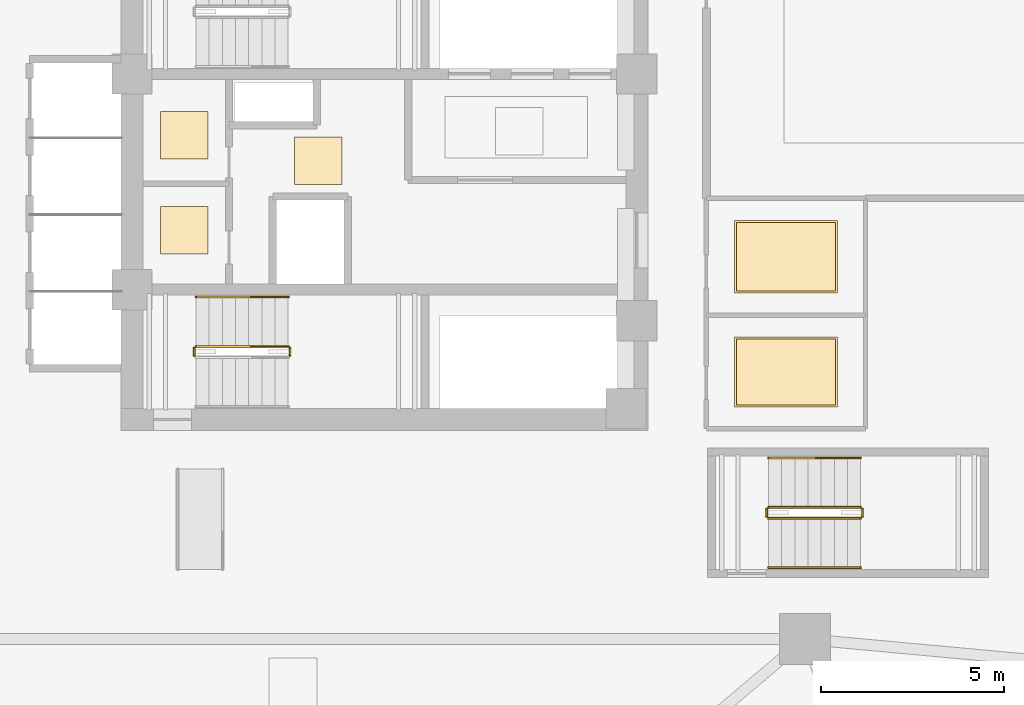
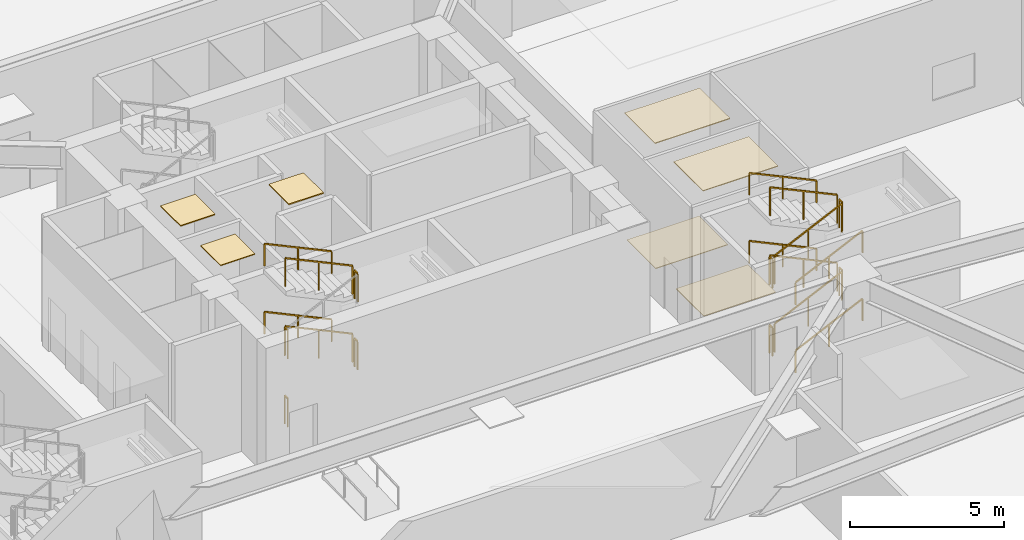
# One storey, part 20 of 25: 20 railings, 7 coverings.
"""IFC4 building model written with IfcOpenShell, lengths in metres."""

from ifc_helpers import new_model, si_unit, direction, frame, origin, origin_2d, place, context, subcontext, project, spatial, polyline, rectangle, outline, extrude, material, layer, layer_set, type_object, element, save


model = new_model("IFC4")

# Units and contexts
model_context = context("Model", 3, precision=1e-05, world=origin(), true_north=direction((0.0, 1.0)))
body_context = subcontext(model_context, "Body", "Model", "MODEL_VIEW")
ifc_project = project(units=[si_unit("LENGTHUNIT", "METRE"), si_unit("AREAUNIT", "SQUARE_METRE"), si_unit("VOLUMEUNIT", "CUBIC_METRE"), si_unit("PLANEANGLEUNIT", "RADIAN"), si_unit("MASSUNIT", "GRAM", prefix="KILO")], contexts=[model_context])

# Site, building, storey
site_placement = place(None, origin())
site = spatial("IfcSite", under=ifc_project, at=site_placement, CompositionType="ELEMENT")
building_placement = place(site_placement, origin())
building = spatial("IfcBuilding", under=site, at=building_placement, Name="Tavelor Broadcast Tower", CompositionType="ELEMENT")
storey_placement = place(building_placement, frame((0.0, 0.0, 11.39990234375)))
storey = spatial("IfcBuildingStorey", under=building, at=storey_placement, Name="L02", CompositionType="ELEMENT", Elevation=11.39990234375)

# Covering
ifc_material_1 = material(Name="Copper-Bronze Anodized Aluminium", Category="aluminium")
ifc_layer_1 = layer(ifc_material_1, 0.044921875)
ifc_layer_set_1 = layer_set([ifc_layer_1], Name="Copper-Bronze Anodized Aluminium")
covering_type_1 = type_object("IfcCoveringType", Name="Anodised Bronze Linear Slatted Concourse Ceiling 45 mm", PredefinedType="CEILING", material=ifc_layer_set_1)
covering_1_placement = place(storey_placement, frame((0.0, 0.0, 5.005126953125)))
element("IfcCovering", 1, at=covering_1_placement, inside=storey, type_object=covering_type_1, Name="L02 Suspended Acoustic Ceiling 0055", PredefinedType="CEILING", context=body_context, shape_type="SweptSolid", body=[
    extrude(outline(polyline([(47.5400390625, 44.919921875), (48.840087890625, 44.919921875), (48.840087890625, 46.219970703125), (47.5400390625, 46.219970703125), (47.5400390625, 44.919921875)])), origin(), (0.0, 0.0, 1.0), 0.044921875),
])

# Railings
ifc_material_2 = material(Name="Steel S355", Category="steel")
railing_type_1 = type_object("IfcRailingType", Name="Continuous Brushed Stainless Handrail 900 mm", PredefinedType="HANDRAIL", material=ifc_material_2)
for number, where, name in (
    (2, (47.3701171875, 41.85009765625, 1.518798828125), "L02 ST2 stair handrail 2"),
    (3, (47.3701171875, 41.85009765625, 4.21875), "L02 ST2 stair handrail 4"),
):
    element("IfcRailing", number, at=place(storey_placement, frame(where)), inside=storey, type_object=railing_type_1, Name=name, PredefinedType="HANDRAIL", context=body_context, shape_type="SweptSolid", body=[
        extrude(rectangle(XDim=0.048095703125, YDim=0.048095703125, at=origin_2d()), frame((0.0, 0.0, 0.8759765625), z_axis=(-0.905439972488, 0.0, 0.424474329284), x_axis=(0.0, -1.0, 0.0)), (0.0, 0.0, 1.0), 2.783203125),
        extrude(rectangle(XDim=0.0419921875, YDim=0.0419921875, at=origin_2d()), origin(), (0.0, 0.0, 1.0), 0.851806640625),
        extrude(rectangle(XDim=0.0419921875, YDim=0.0419921875, at=origin_2d()), frame((-1.260009765625, 0.0, 0.5908203125)), (0.0, 0.0, 1.0), 0.851806640625),
        extrude(rectangle(XDim=0.0419921875, YDim=0.0419921875, at=origin_2d()), frame((-2.52001953125, 0.0, 1.181396484375)), (0.0, 0.0, 1.0), 0.851806640625),
    ])
railing_1_placement = place(storey_placement, frame((60.5, 34.449951171875, 0.1689453125)))
element("IfcRailing", 4, at=railing_1_placement, inside=storey, type_object=railing_type_1, Name="L02 ST4 stair handrail 1", PredefinedType="HANDRAIL", context=body_context, shape_type="SweptSolid", body=[
    extrude(rectangle(XDim=0.048095703125, YDim=0.048095703125, at=origin_2d()), frame((0.0, 0.0, 0.8759765625), z_axis=(0.905473684625, 0.0, 0.424402410988), x_axis=(0.0, 1.0, 0.0)), (0.0, 0.0, 1.0), 2.783203125),
    extrude(rectangle(XDim=0.0419921875, YDim=0.0419921875, at=origin_2d()), origin(), (0.0, 0.0, 1.0), 0.851806640625),
    extrude(rectangle(XDim=0.0419921875, YDim=0.0419921875, at=origin_2d()), frame((1.260009765625, 0.0, 0.590576171875)), (0.0, 0.0, 1.0), 0.851806640625),
    extrude(rectangle(XDim=0.0419921875, YDim=0.0419921875, at=origin_2d()), frame((2.52001953125, 0.0, 1.18115234375)), (0.0, 0.0, 1.0), 0.851806640625),
])
railing_2_placement = place(storey_placement, frame((63.02001953125, 37.449951171875, 1.518798828125)))
element("IfcRailing", 5, at=railing_2_placement, inside=storey, type_object=railing_type_1, Name="L02 ST4 stair handrail 2", PredefinedType="HANDRAIL", context=body_context, shape_type="SweptSolid", body=[
    extrude(rectangle(XDim=0.048095703125, YDim=0.048095703125, at=origin_2d()), frame((0.0, 0.0, 0.8759765625), z_axis=(-0.905439972488, 0.0, 0.424474329284), x_axis=(0.0, -1.0, 0.0)), (0.0, 0.0, 1.0), 2.783203125),
    extrude(rectangle(XDim=0.0419921875, YDim=0.0419921875, at=origin_2d()), origin(), (0.0, 0.0, 1.0), 0.851806640625),
    extrude(rectangle(XDim=0.0419921875, YDim=0.0419921875, at=origin_2d()), frame((-1.260009765625, 0.0, 0.5908203125)), (0.0, 0.0, 1.0), 0.851806640625),
    extrude(rectangle(XDim=0.0419921875, YDim=0.0419921875, at=origin_2d()), frame((-2.52001953125, 0.0, 1.181396484375)), (0.0, 0.0, 1.0), 0.851806640625),
])
railing_3_placement = place(storey_placement, frame((60.5, 34.449951171875, 2.868896484375)))
element("IfcRailing", 6, at=railing_3_placement, inside=storey, type_object=railing_type_1, Name="L02 ST4 stair handrail 3", PredefinedType="HANDRAIL", context=body_context, shape_type="SweptSolid", body=[
    extrude(rectangle(XDim=0.048095703125, YDim=0.048095703125, at=origin_2d()), frame((0.0, 0.0, 0.8759765625), z_axis=(0.905473684625, 0.0, 0.424402410988), x_axis=(0.0, 1.0, 0.0)), (0.0, 0.0, 1.0), 2.783203125),
    extrude(rectangle(XDim=0.0419921875, YDim=0.0419921875, at=origin_2d()), origin(), (0.0, 0.0, 1.0), 0.851806640625),
    extrude(rectangle(XDim=0.0419921875, YDim=0.0419921875, at=origin_2d()), frame((1.260009765625, 0.0, 0.590576171875)), (0.0, 0.0, 1.0), 0.851806640625),
    extrude(rectangle(XDim=0.0419921875, YDim=0.0419921875, at=origin_2d()), frame((2.52001953125, 0.0, 1.18115234375)), (0.0, 0.0, 1.0), 0.851806640625),
])
railing_4_placement = place(storey_placement, frame((63.02001953125, 37.449951171875, 4.21875)))
element("IfcRailing", 7, at=railing_4_placement, inside=storey, type_object=railing_type_1, Name="L02 ST4 stair handrail 4", PredefinedType="HANDRAIL", context=body_context, shape_type="SweptSolid", body=[
    extrude(rectangle(XDim=0.048095703125, YDim=0.048095703125, at=origin_2d()), frame((0.0, 0.0, 0.8759765625), z_axis=(-0.905439972488, 0.0, 0.424474329284), x_axis=(0.0, -1.0, 0.0)), (0.0, 0.0, 1.0), 2.783203125),
    extrude(rectangle(XDim=0.0419921875, YDim=0.0419921875, at=origin_2d()), origin(), (0.0, 0.0, 1.0), 0.851806640625),
    extrude(rectangle(XDim=0.0419921875, YDim=0.0419921875, at=origin_2d()), frame((-1.260009765625, 0.0, 0.5908203125)), (0.0, 0.0, 1.0), 0.851806640625),
    extrude(rectangle(XDim=0.0419921875, YDim=0.0419921875, at=origin_2d()), frame((-2.52001953125, 0.0, 1.181396484375)), (0.0, 0.0, 1.0), 0.851806640625),
])

# Coverings
ifc_material_3 = material(Name="Architectural Anodized Aluminium", Category="aluminium")
ifc_layer_2 = layer(ifc_material_3, 0.030029296875)
ifc_layer_set_2 = layer_set([ifc_layer_2], Name="Architectural Anodized Aluminium")
covering_type_2 = type_object("IfcCoveringType", Name="Moisture-Resistant Washroom Ceiling 30 mm", PredefinedType="CEILING", material=ifc_layer_set_2)
covering_2_placement = place(storey_placement, frame((0.0, 0.0, 5.02001953125)))
element("IfcCovering", 8, at=covering_2_placement, inside=storey, type_object=covering_type_2, Name="L02 Suspended Acoustic Ceiling 0056", PredefinedType="CEILING", context=body_context, shape_type="SweptSolid", body=[
    extrude(outline(polyline([(43.8798828125, 43.026611328125), (45.179931640625, 43.026611328125), (45.179931640625, 44.326416015625), (43.8798828125, 44.326416015625), (43.8798828125, 43.026611328125)])), origin(), (0.0, 0.0, 1.0), 0.030029296875),
])
covering_3_placement = place(storey_placement, frame((0.0, 0.0, 5.02001953125)))
element("IfcCovering", 9, at=covering_3_placement, inside=storey, type_object=covering_type_2, Name="L02 Suspended Acoustic Ceiling 0074", PredefinedType="CEILING", context=body_context, shape_type="SweptSolid", body=[
    extrude(outline(polyline([(59.5703125, 38.84375), (62.389892578125, 38.84375), (62.389892578125, 40.756103515625), (59.5703125, 40.756103515625), (59.5703125, 38.84375)])), origin(), (0.0, 0.0, 1.0), 0.030029296875),
])
covering_4_placement = place(storey_placement, frame((0.0, 0.0, 5.02001953125)))
element("IfcCovering", 10, at=covering_4_placement, inside=storey, type_object=covering_type_2, Name="L02 Suspended Acoustic Ceiling 0075", PredefinedType="CEILING", context=body_context, shape_type="SweptSolid", body=[
    extrude(outline(polyline([(59.5703125, 41.957763671875), (62.389892578125, 41.957763671875), (62.389892578125, 43.942138671875), (59.5703125, 43.942138671875), (59.5703125, 41.957763671875)])), origin(), (0.0, 0.0, 1.0), 0.030029296875),
])
ifc_material_4 = material(Name="Slip-Resistant Porcelain Tile")
ifc_layer_3 = layer(ifc_material_4, 0.02490234375)
ifc_layer_set_3 = layer_set([ifc_layer_3], Name="Slip-Resistant Porcelain Tile")
covering_type_3 = type_object("IfcCoveringType", Name="Slip-Resistant Porcelain Wet-Area Floor Tile 25 mm", PredefinedType="FLOORING", material=ifc_layer_set_3)
covering_5_placement = place(storey_placement, origin())
element("IfcCovering", 11, at=covering_5_placement, inside=storey, type_object=covering_type_3, Name="L02 Broadcast Floor Finish 0030", PredefinedType="FLOORING", context=body_context, shape_type="SweptSolid", body=[
    extrude(outline(polyline([(59.627685546875, 38.9013671875), (62.332275390625, 38.9013671875), (62.332275390625, 40.698486328125), (59.627685546875, 40.698486328125), (59.627685546875, 38.9013671875)])), origin(), (0.0, 0.0, 1.0), 0.025146484375),
])
covering_6_placement = place(storey_placement, origin())
element("IfcCovering", 12, at=covering_6_placement, inside=storey, type_object=covering_type_3, Name="L02 Broadcast Floor Finish 0031", PredefinedType="FLOORING", context=body_context, shape_type="SweptSolid", body=[
    extrude(outline(polyline([(59.627685546875, 42.015380859375), (62.332275390625, 42.015380859375), (62.332275390625, 43.884521484375), (59.627685546875, 43.884521484375), (59.627685546875, 42.015380859375)])), origin(), (0.0, 0.0, 1.0), 0.025146484375),
])

# Railings
railing_type_2 = type_object("IfcRailingType", Name="Stairwell Steel Safety Guardrail 1150 mm", PredefinedType="GUARDRAIL", material=ifc_material_2)
railing_5_placement = place(storey_placement, frame((47.419921875, 40.25, 1.35009765625)))
element("IfcRailing", 13, at=railing_5_placement, inside=storey, type_object=railing_type_2, Name="L02 ST2 stair guard 2", PredefinedType="GUARDRAIL", context=body_context, shape_type="SweptSolid", body=[
    extrude(rectangle(XDim=0.048095703125, YDim=0.048095703125, at=origin_2d()), frame((0.0, 0.0, 1.1259765625), z_axis=(0.0, 1.0, 0.0), x_axis=(-1.0, 0.0, 0.0)), (0.0, 0.0, 1.0), 0.199951171875),
    extrude(rectangle(XDim=0.0419921875, YDim=0.0419921875, at=origin_2d()), origin(), (0.0, 0.0, 1.0), 1.101806640625),
    extrude(rectangle(XDim=0.0419921875, YDim=0.0419921875, at=origin_2d()), frame((0.0, 0.199951171875, 0.0)), (0.0, 0.0, 1.0), 1.101806640625),
])
railing_6_placement = place(storey_placement, frame((47.3701171875, 40.5, 1.518798828125)))
element("IfcRailing", 14, at=railing_6_placement, inside=storey, type_object=railing_type_2, Name="L02 ST2 stair guard 3", PredefinedType="GUARDRAIL", context=body_context, shape_type="SweptSolid", body=[
    extrude(rectangle(XDim=0.048095703125, YDim=0.048095703125, at=origin_2d()), frame((0.0, 0.0, 1.1259765625), z_axis=(-0.905439972488, 0.0, 0.424474329284), x_axis=(0.0, -1.0, 0.0)), (0.0, 0.0, 1.0), 2.783203125),
    extrude(rectangle(XDim=0.0419921875, YDim=0.0419921875, at=origin_2d()), origin(), (0.0, 0.0, 1.0), 1.101806640625),
    extrude(rectangle(XDim=0.0419921875, YDim=0.0419921875, at=origin_2d()), frame((-1.260009765625, 0.0, 0.5908203125)), (0.0, 0.0, 1.0), 1.101806640625),
    extrude(rectangle(XDim=0.0419921875, YDim=0.0419921875, at=origin_2d()), frame((-2.52001953125, 0.0, 1.181396484375)), (0.0, 0.0, 1.0), 1.101806640625),
])
for number, where, name in (
    (15, (44.800048828125, 40.25, 2.7001953125), "L02 ST2 stair guard 4"),
    (16, (47.419921875, 40.25, 4.050048828125), "L02 ST2 stair guard 6"),
):
    element("IfcRailing", number, at=place(storey_placement, frame(where)), inside=storey, type_object=railing_type_2, Name=name, PredefinedType="GUARDRAIL", context=body_context, shape_type="SweptSolid", body=[
        extrude(rectangle(XDim=0.048095703125, YDim=0.048095703125, at=origin_2d()), frame((0.0, 0.0, 1.1259765625), z_axis=(0.0, 1.0, 0.0), x_axis=(-1.0, 0.0, 0.0)), (0.0, 0.0, 1.0), 0.199951171875),
        extrude(rectangle(XDim=0.0419921875, YDim=0.0419921875, at=origin_2d()), origin(), (0.0, 0.0, 1.0), 1.101806640625),
        extrude(rectangle(XDim=0.0419921875, YDim=0.0419921875, at=origin_2d()), frame((0.0, 0.199951171875, 0.0)), (0.0, 0.0, 1.0), 1.101806640625),
    ])
railing_7_placement = place(storey_placement, frame((47.3701171875, 40.5, 4.21875)))
element("IfcRailing", 17, at=railing_7_placement, inside=storey, type_object=railing_type_2, Name="L02 ST2 stair guard 7", PredefinedType="GUARDRAIL", context=body_context, shape_type="SweptSolid", body=[
    extrude(rectangle(XDim=0.048095703125, YDim=0.048095703125, at=origin_2d()), frame((0.0, 0.0, 1.1259765625), z_axis=(-0.905439972488, 0.0, 0.424474329284), x_axis=(0.0, -1.0, 0.0)), (0.0, 0.0, 1.0), 2.783203125),
    extrude(rectangle(XDim=0.0419921875, YDim=0.0419921875, at=origin_2d()), origin(), (0.0, 0.0, 1.0), 1.101806640625),
    extrude(rectangle(XDim=0.0419921875, YDim=0.0419921875, at=origin_2d()), frame((-1.260009765625, 0.0, 0.5908203125)), (0.0, 0.0, 1.0), 1.101806640625),
    extrude(rectangle(XDim=0.0419921875, YDim=0.0419921875, at=origin_2d()), frame((-2.52001953125, 0.0, 1.181396484375)), (0.0, 0.0, 1.0), 1.101806640625),
])
railing_8_placement = place(storey_placement, frame((44.800048828125, 40.25, 0.0)))
element("IfcRailing", 18, at=railing_8_placement, inside=storey, type_object=railing_type_2, Name="L02 ST2 stair guard 8", PredefinedType="GUARDRAIL", context=body_context, shape_type="SweptSolid", body=[
    extrude(rectangle(XDim=0.048095703125, YDim=0.048095703125, at=origin_2d()), frame((0.0, 0.0, 1.1259765625), z_axis=(0.0, 1.0, 0.0), x_axis=(-1.0, 0.0, 0.0)), (0.0, 0.0, 1.0), 0.199951171875),
    extrude(rectangle(XDim=0.0419921875, YDim=0.0419921875, at=origin_2d()), origin(), (0.0, 0.0, 1.0), 1.101806640625),
    extrude(rectangle(XDim=0.0419921875, YDim=0.0419921875, at=origin_2d()), frame((0.0, 0.199951171875, 0.0)), (0.0, 0.0, 1.0), 1.101806640625),
])
railing_9_placement = place(storey_placement, frame((60.5, 35.800048828125, 0.1689453125)))
element("IfcRailing", 19, at=railing_9_placement, inside=storey, type_object=railing_type_2, Name="L02 ST4 stair guard 1", PredefinedType="GUARDRAIL", context=body_context, shape_type="SweptSolid", body=[
    extrude(rectangle(XDim=0.048095703125, YDim=0.048095703125, at=origin_2d()), frame((0.0, 0.0, 1.1259765625), z_axis=(0.905473684625, 0.0, 0.424402410988), x_axis=(0.0, 1.0, 0.0)), (0.0, 0.0, 1.0), 2.783203125),
    extrude(rectangle(XDim=0.0419921875, YDim=0.0419921875, at=origin_2d()), origin(), (0.0, 0.0, 1.0), 1.101806640625),
    extrude(rectangle(XDim=0.0419921875, YDim=0.0419921875, at=origin_2d()), frame((1.260009765625, 0.0, 0.590576171875)), (0.0, 0.0, 1.0), 1.101806640625),
    extrude(rectangle(XDim=0.0419921875, YDim=0.0419921875, at=origin_2d()), frame((2.52001953125, 0.0, 1.18115234375)), (0.0, 0.0, 1.0), 1.101806640625),
])
railing_10_placement = place(storey_placement, frame((63.070068359375, 35.85009765625, 1.35009765625)))
element("IfcRailing", 20, at=railing_10_placement, inside=storey, type_object=railing_type_2, Name="L02 ST4 stair guard 2", PredefinedType="GUARDRAIL", context=body_context, shape_type="SweptSolid", body=[
    extrude(rectangle(XDim=0.048095703125, YDim=0.048095703125, at=origin_2d()), frame((0.0, 0.0, 1.1259765625), z_axis=(0.0, 1.0, 0.0), x_axis=(-1.0, 0.0, 0.0)), (0.0, 0.0, 1.0), 0.199951171875),
    extrude(rectangle(XDim=0.0419921875, YDim=0.0419921875, at=origin_2d()), origin(), (0.0, 0.0, 1.0), 1.101806640625),
    extrude(rectangle(XDim=0.0419921875, YDim=0.0419921875, at=origin_2d()), frame((0.0, 0.199951171875, 0.0)), (0.0, 0.0, 1.0), 1.101806640625),
])
railing_11_placement = place(storey_placement, frame((63.02001953125, 36.10009765625, 1.518798828125)))
element("IfcRailing", 21, at=railing_11_placement, inside=storey, type_object=railing_type_2, Name="L02 ST4 stair guard 3", PredefinedType="GUARDRAIL", context=body_context, shape_type="SweptSolid", body=[
    extrude(rectangle(XDim=0.048095703125, YDim=0.048095703125, at=origin_2d()), frame((0.0, 0.0, 1.1259765625), z_axis=(-0.905439972488, 0.0, 0.424474329284), x_axis=(0.0, -1.0, 0.0)), (0.0, 0.0, 1.0), 2.783203125),
    extrude(rectangle(XDim=0.0419921875, YDim=0.0419921875, at=origin_2d()), origin(), (0.0, 0.0, 1.0), 1.101806640625),
    extrude(rectangle(XDim=0.0419921875, YDim=0.0419921875, at=origin_2d()), frame((-1.260009765625, 0.0, 0.5908203125)), (0.0, 0.0, 1.0), 1.101806640625),
    extrude(rectangle(XDim=0.0419921875, YDim=0.0419921875, at=origin_2d()), frame((-2.52001953125, 0.0, 1.181396484375)), (0.0, 0.0, 1.0), 1.101806640625),
])
railing_12_placement = place(storey_placement, frame((60.449951171875, 35.85009765625, 2.7001953125)))
element("IfcRailing", 22, at=railing_12_placement, inside=storey, type_object=railing_type_2, Name="L02 ST4 stair guard 4", PredefinedType="GUARDRAIL", context=body_context, shape_type="SweptSolid", body=[
    extrude(rectangle(XDim=0.048095703125, YDim=0.048095703125, at=origin_2d()), frame((0.0, 0.0, 1.1259765625), z_axis=(0.0, 1.0, 0.0), x_axis=(-1.0, 0.0, 0.0)), (0.0, 0.0, 1.0), 0.199951171875),
    extrude(rectangle(XDim=0.0419921875, YDim=0.0419921875, at=origin_2d()), origin(), (0.0, 0.0, 1.0), 1.101806640625),
    extrude(rectangle(XDim=0.0419921875, YDim=0.0419921875, at=origin_2d()), frame((0.0, 0.199951171875, 0.0)), (0.0, 0.0, 1.0), 1.101806640625),
])
railing_13_placement = place(storey_placement, frame((60.5, 35.800048828125, 2.868896484375)))
element("IfcRailing", 23, at=railing_13_placement, inside=storey, type_object=railing_type_2, Name="L02 ST4 stair guard 5", PredefinedType="GUARDRAIL", context=body_context, shape_type="SweptSolid", body=[
    extrude(rectangle(XDim=0.048095703125, YDim=0.048095703125, at=origin_2d()), frame((0.0, 0.0, 1.1259765625), z_axis=(0.905473684625, 0.0, 0.424402410988), x_axis=(0.0, 1.0, 0.0)), (0.0, 0.0, 1.0), 2.783203125),
    extrude(rectangle(XDim=0.0419921875, YDim=0.0419921875, at=origin_2d()), origin(), (0.0, 0.0, 1.0), 1.101806640625),
    extrude(rectangle(XDim=0.0419921875, YDim=0.0419921875, at=origin_2d()), frame((1.260009765625, 0.0, 0.590576171875)), (0.0, 0.0, 1.0), 1.101806640625),
    extrude(rectangle(XDim=0.0419921875, YDim=0.0419921875, at=origin_2d()), frame((2.52001953125, 0.0, 1.18115234375)), (0.0, 0.0, 1.0), 1.101806640625),
])
railing_14_placement = place(storey_placement, frame((63.070068359375, 35.85009765625, 4.050048828125)))
element("IfcRailing", 24, at=railing_14_placement, inside=storey, type_object=railing_type_2, Name="L02 ST4 stair guard 6", PredefinedType="GUARDRAIL", context=body_context, shape_type="SweptSolid", body=[
    extrude(rectangle(XDim=0.048095703125, YDim=0.048095703125, at=origin_2d()), frame((0.0, 0.0, 1.1259765625), z_axis=(0.0, 1.0, 0.0), x_axis=(-1.0, 0.0, 0.0)), (0.0, 0.0, 1.0), 0.199951171875),
    extrude(rectangle(XDim=0.0419921875, YDim=0.0419921875, at=origin_2d()), origin(), (0.0, 0.0, 1.0), 1.101806640625),
    extrude(rectangle(XDim=0.0419921875, YDim=0.0419921875, at=origin_2d()), frame((0.0, 0.199951171875, 0.0)), (0.0, 0.0, 1.0), 1.101806640625),
])
railing_15_placement = place(storey_placement, frame((63.02001953125, 36.10009765625, 4.21875)))
element("IfcRailing", 25, at=railing_15_placement, inside=storey, type_object=railing_type_2, Name="L02 ST4 stair guard 7", PredefinedType="GUARDRAIL", context=body_context, shape_type="SweptSolid", body=[
    extrude(rectangle(XDim=0.048095703125, YDim=0.048095703125, at=origin_2d()), frame((0.0, 0.0, 1.1259765625), z_axis=(-0.905439972488, 0.0, 0.424474329284), x_axis=(0.0, -1.0, 0.0)), (0.0, 0.0, 1.0), 2.783203125),
    extrude(rectangle(XDim=0.0419921875, YDim=0.0419921875, at=origin_2d()), origin(), (0.0, 0.0, 1.0), 1.101806640625),
    extrude(rectangle(XDim=0.0419921875, YDim=0.0419921875, at=origin_2d()), frame((-1.260009765625, 0.0, 0.5908203125)), (0.0, 0.0, 1.0), 1.101806640625),
    extrude(rectangle(XDim=0.0419921875, YDim=0.0419921875, at=origin_2d()), frame((-2.52001953125, 0.0, 1.181396484375)), (0.0, 0.0, 1.0), 1.101806640625),
])
railing_16_placement = place(storey_placement, frame((60.449951171875, 35.85009765625, 0.0)))
element("IfcRailing", 26, at=railing_16_placement, inside=storey, type_object=railing_type_2, Name="L02 ST4 stair guard 8", PredefinedType="GUARDRAIL", context=body_context, shape_type="SweptSolid", body=[
    extrude(rectangle(XDim=0.048095703125, YDim=0.048095703125, at=origin_2d()), frame((0.0, 0.0, 1.1259765625), z_axis=(0.0, 1.0, 0.0), x_axis=(-1.0, 0.0, 0.0)), (0.0, 0.0, 1.0), 0.199951171875),
    extrude(rectangle(XDim=0.0419921875, YDim=0.0419921875, at=origin_2d()), origin(), (0.0, 0.0, 1.0), 1.101806640625),
    extrude(rectangle(XDim=0.0419921875, YDim=0.0419921875, at=origin_2d()), frame((0.0, 0.199951171875, 0.0)), (0.0, 0.0, 1.0), 1.101806640625),
])

# Covering
ifc_material_5 = material(Name="Acoustic Mineral Fibre Tile")
ifc_layer_4 = layer(ifc_material_5, 0.0400390625)
ifc_layer_set_4 = layer_set([ifc_layer_4], Name="Acoustic Mineral Fibre Tile")
covering_type_4 = type_object("IfcCoveringType", Name="Suspended Acoustic Mineral-Fibre Office Ceiling 40 mm", PredefinedType="CEILING", material=ifc_layer_set_4)
covering_7_placement = place(storey_placement, frame((0.0, 0.0, 5.010009765625)))
element("IfcCovering", 27, at=covering_7_placement, inside=storey, type_object=covering_type_4, Name="L02 Suspended Acoustic Ceiling 0057", PredefinedType="CEILING", context=body_context, shape_type="SweptSolid", body=[
    extrude(outline(polyline([(43.8798828125, 45.62353515625), (45.179931640625, 45.62353515625), (45.179931640625, 46.923583984375), (43.8798828125, 46.923583984375), (43.8798828125, 45.62353515625)])), origin(), (0.0, 0.0, 1.0), 0.0400390625),
])

save(model, "model.ifc")
